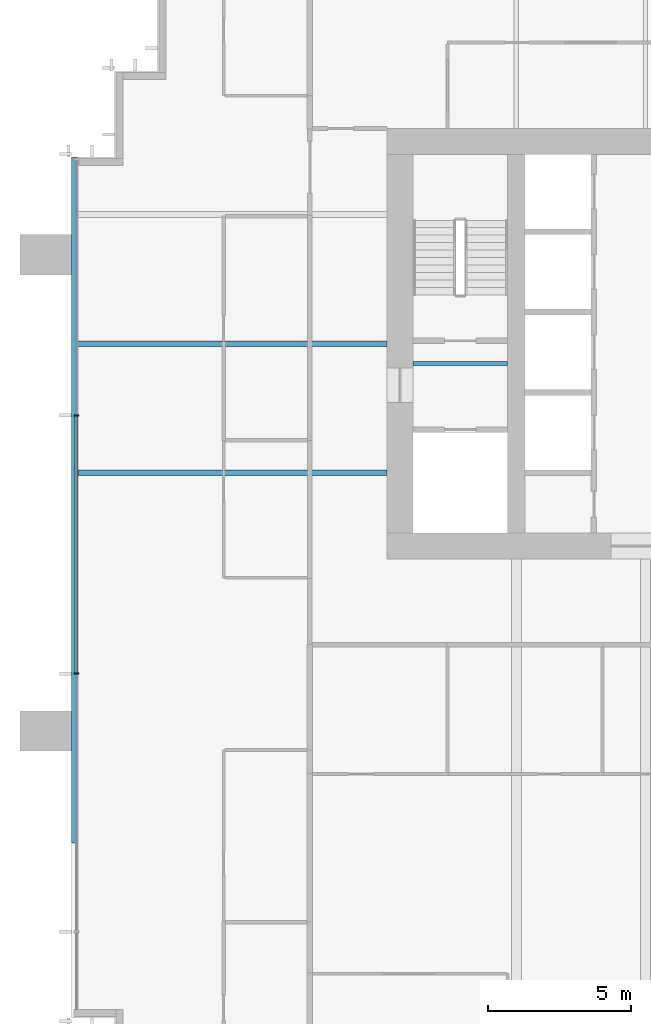
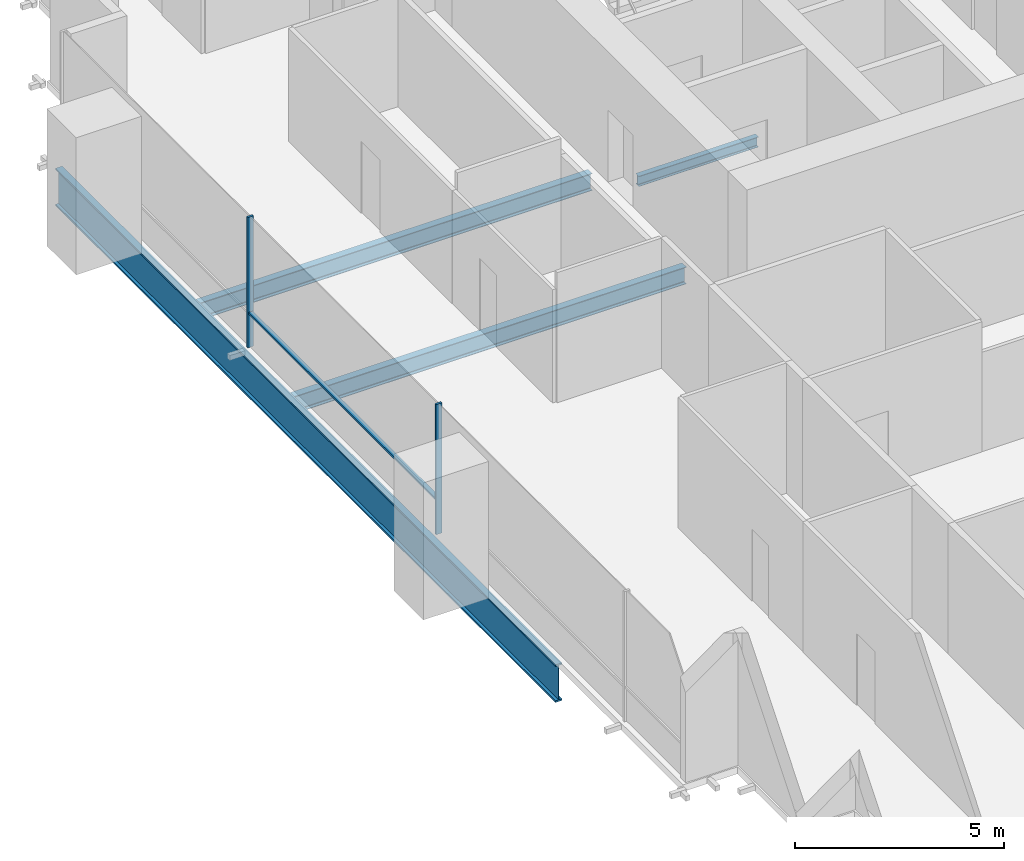
# One storey, part 4 of 16: 4 beams, 3 members, 1 element without a shape of its own.
"""IFC4 building model written with IfcOpenShell, lengths in metres."""

from ifc_helpers import new_model, si_unit, direction, frame, origin, origin_2d, place, context, subcontext, project, spatial, rectangle, i_section, extrude, material, material_profile, profile_set, type_object, element, aggregate, save


model = new_model("IFC4")

# Units and contexts
model_context = context("Model", 3, precision=1e-05, world=origin(), true_north=direction((0.0, 1.0)))
body_context = subcontext(model_context, "Body", "Model", "MODEL_VIEW")
ifc_project = project(units=[si_unit("LENGTHUNIT", "METRE"), si_unit("AREAUNIT", "SQUARE_METRE"), si_unit("VOLUMEUNIT", "CUBIC_METRE"), si_unit("PLANEANGLEUNIT", "RADIAN"), si_unit("MASSUNIT", "GRAM", prefix="KILO")], contexts=[model_context])

# Site, building, storey
site_placement = place(None, origin())
site = spatial("IfcSite", under=ifc_project, at=site_placement, CompositionType="ELEMENT")
building_placement = place(site_placement, origin())
building = spatial("IfcBuilding", under=site, at=building_placement, Name="Rattan Terrace Tower", CompositionType="ELEMENT")
storey_placement = place(building_placement, frame((0.0, 0.0, 130.10009765625)))
storey = spatial("IfcBuildingStorey", under=building, at=storey_placement, Name="L29", CompositionType="ELEMENT", Elevation=130.10009765625)

# Curtain wall, members
ifc_material_1 = material(Name="Aluminium and glass", Category="aluminium")
curtain_wall_type = type_object("IfcCurtainWallType", Name="Facade Unitised Curtain Wall", PredefinedType="NOTDEFINED", material=ifc_material_1)
curtain_wall_placement = place(storey_placement, origin())
curtain_wall = element("IfcCurtainWall", 1, at=curtain_wall_placement, inside=storey, type_object=curtain_wall_type, Name="Curtain wall L29-3", PredefinedType="NOTDEFINED")
ifc_material_2 = material(Name="Aluminium", Category="aluminium")
ifc_material_profile_1 = material_profile(ifc_material_2, rectangle(XDim=0.06005859375, YDim=0.159912109375, at=origin_2d()), Name="Aluminium 60x160")
ifc_profile_set_1 = profile_set([ifc_material_profile_1], Name="Aluminium")
member_type_1 = type_object("IfcMemberType", Name="Facade CW Mullion 60x160", PredefinedType="MULLION", material=ifc_profile_set_1)
member_1_placement = place(storey_placement, frame((-28.830078125, -2.5, 0.0), z_axis=(0.0, 0.0, 1.0), x_axis=(0.0, -1.0, 0.0)))
member_1 = element("IfcMember", 2, at=member_1_placement, type_object=member_type_1, Name="Mullion cwl-L29-003.2", PredefinedType="MULLION", context=body_context, shape_type="SweptSolid", body=[
    extrude(rectangle(XDim=0.06005859375, YDim=0.159912109375, at=origin_2d()), origin(), (0.0, 0.0, 1.0), 3.7998046875),
])
member_2_placement = place(storey_placement, frame((-28.830078125, -11.5, 0.0), z_axis=(0.0, 0.0, 1.0), x_axis=(0.0, -1.0, 0.0)))
member_2 = element("IfcMember", 3, at=member_2_placement, type_object=member_type_1, Name="Mullion cwl-L29-003.3", PredefinedType="MULLION", context=body_context, shape_type="SweptSolid", body=[
    extrude(rectangle(XDim=0.06005859375, YDim=0.159912109375, at=origin_2d()), origin(), (0.0, 0.0, 1.0), 3.7998046875),
])
ifc_material_3 = material(Name="Aluminium", Category="aluminium")
ifc_material_profile_2 = material_profile(ifc_material_3, rectangle(XDim=0.1201171875, YDim=0.06005859375, at=origin_2d()), Name="Aluminium 120x60")
ifc_profile_set_2 = profile_set([ifc_material_profile_2], Name="Aluminium")
member_type_2 = type_object("IfcMemberType", Name="Facade CW Transom 120x60", PredefinedType="USERDEFINED", material=ifc_profile_set_2)
member_3_placement = place(storey_placement, frame((-28.830078125, -2.530029296875, 1.0), z_axis=(0.0, -1.0, 0.0), x_axis=(1.0, 0.0, 0.0)))
member_3 = element("IfcMember", 4, at=member_3_placement, type_object=member_type_2, Name="Transom cwl-L29-003.2", ObjectType="TRANSOM", PredefinedType="USERDEFINED", context=body_context, shape_type="SweptSolid", body=[
    extrude(rectangle(XDim=0.1201171875, YDim=0.06005859375, at=origin_2d()), origin(), (0.0, 0.0, 1.0), 8.93994140625),
])
aggregate(curtain_wall, [member_1, member_2, member_3])

# Beams
ifc_material_4 = material(Name="Steel S460", Category="steel")
ifc_material_profile_3 = material_profile(ifc_material_4, i_section(OverallWidth=0.179931640625, OverallDepth=1.10009765625, WebThickness=0.01611328125, FlangeThickness=0.050048828125, at=origin_2d()), Name="PG 1100x180-16-50")
ifc_profile_set_3 = profile_set([ifc_material_profile_3], Name="Steel S460")
beam_type_1 = type_object("IfcBeamType", Name="Frame edge girder PG 1100x180-16-50", PredefinedType="SPANDREL", material=ifc_profile_set_3)
beam_1_placement = place(storey_placement, frame((-28.909912109375, -17.39990234375, -0.75), z_axis=(0.0, 1.0, 0.0), x_axis=(-1.0, 0.0, 0.0)))
element("IfcBeam", 5, at=beam_1_placement, inside=storey, type_object=beam_type_1, Name="gdr-L29-003", PredefinedType="SPANDREL", context=body_context, shape_type="SweptSolid", body=[
    extrude(i_section(OverallWidth=0.179931640625, OverallDepth=1.10009765625, WebThickness=0.01611328125, FlangeThickness=0.050048828125, at=origin_2d()), origin(), (0.0, 0.0, 1.0), 23.89990234375),
])
ifc_material_5 = material(Name="Steel S355", Category="steel")
ifc_material_profile_4 = material_profile(ifc_material_5, i_section(OverallWidth=0.14990234375, OverallDepth=0.300048828125, WebThickness=0.007080078125, FlangeThickness=0.0107421875, FilletRadius=0.014892578125, at=origin_2d()), Name="IPE 300")
ifc_profile_set_4 = profile_set([ifc_material_profile_4], Name="Steel S355")
beam_type_2 = type_object("IfcBeamType", Name="Frame floor beam IPE 300", PredefinedType="JOIST", material=ifc_profile_set_4)
beam_2_placement = place(storey_placement, frame((-17.10009765625, -0.695068359375, -0.35009765625), z_axis=(1.0, 0.0, 0.0), x_axis=(0.0, 1.0, 0.0)))
element("IfcBeam", 6, at=beam_2_placement, inside=storey, type_object=beam_type_2, Name="bm-L29-001", PredefinedType="JOIST", context=body_context, shape_type="SweptSolid", body=[
    extrude(i_section(OverallWidth=0.14990234375, OverallDepth=0.300048828125, WebThickness=0.007080078125, FlangeThickness=0.0107421875, FilletRadius=0.014892578125, at=origin_2d()), origin(), (0.0, 0.0, 1.0), 3.300048828125),
])
ifc_material_6 = material(Name="Steel S355", Category="steel")
ifc_material_profile_5 = material_profile(ifc_material_6, i_section(OverallWidth=0.199951171875, OverallDepth=0.5, WebThickness=0.01025390625, FlangeThickness=0.01611328125, FilletRadius=0.02099609375, at=origin_2d()), Name="IPE 500")
ifc_profile_set_5 = profile_set([ifc_material_profile_5], Name="Steel S355")
beam_type_3 = type_object("IfcBeamType", Name="Frame floor beam IPE 500", PredefinedType="JOIST", material=ifc_profile_set_5)
for number, where, z_axis, x_axis, name in (
    (7, (-28.820068359375, -4.5, -0.4501953125), (1.0, 0.0, 0.0), (0.0, 1.0, 0.0), "bm-L29-010"),
    (8, (-28.820068359375, 0.0, -0.4501953125), (1.0, 0.0, 0.0), (0.0, 1.0, 0.0), "bm-L29-012"),
):
    element("IfcBeam", number, at=place(storey_placement, frame(where, z_axis=z_axis, x_axis=x_axis)), inside=storey, type_object=beam_type_3, Name=name, PredefinedType="JOIST", context=body_context, shape_type="SweptSolid", body=[
        extrude(i_section(OverallWidth=0.199951171875, OverallDepth=0.5, WebThickness=0.01025390625, FlangeThickness=0.01611328125, FilletRadius=0.02099609375, at=origin_2d()), origin(), (0.0, 0.0, 1.0), 10.820068359375),
    ])

save(model, "model.ifc")
